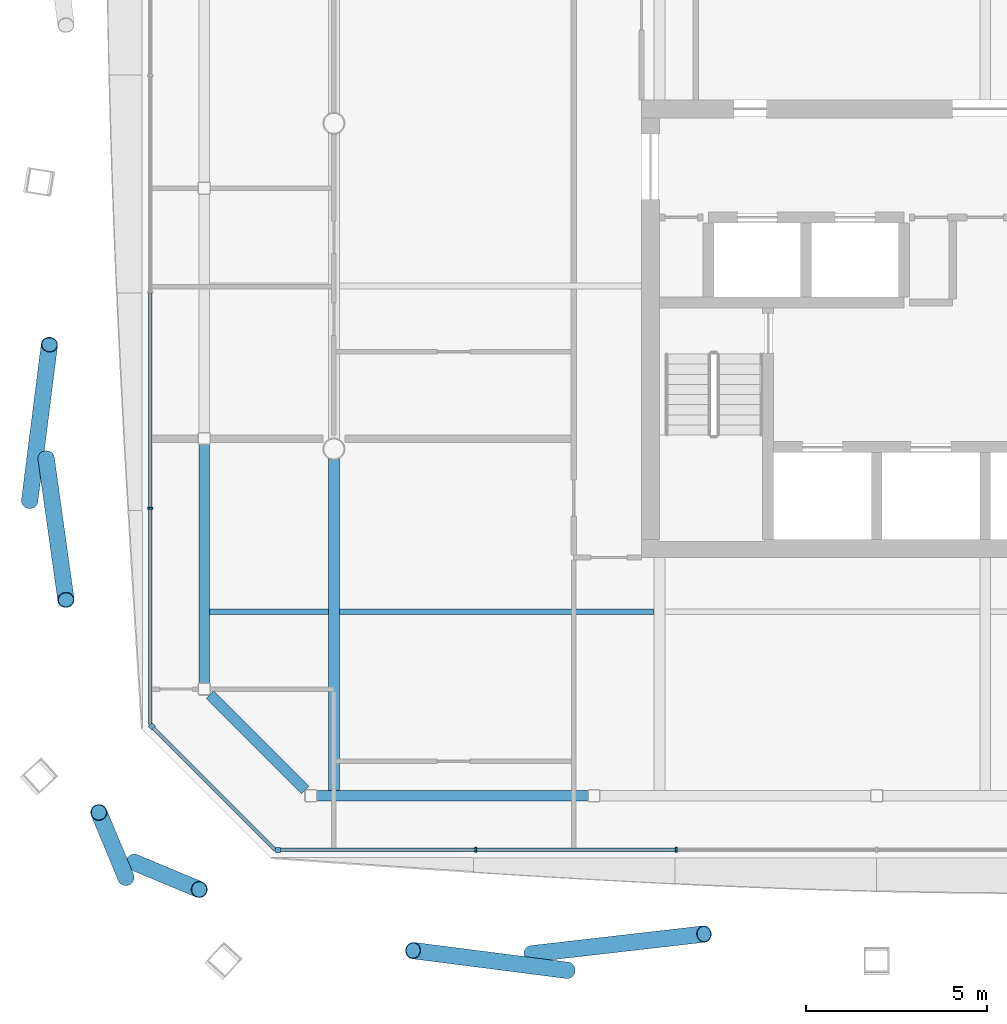
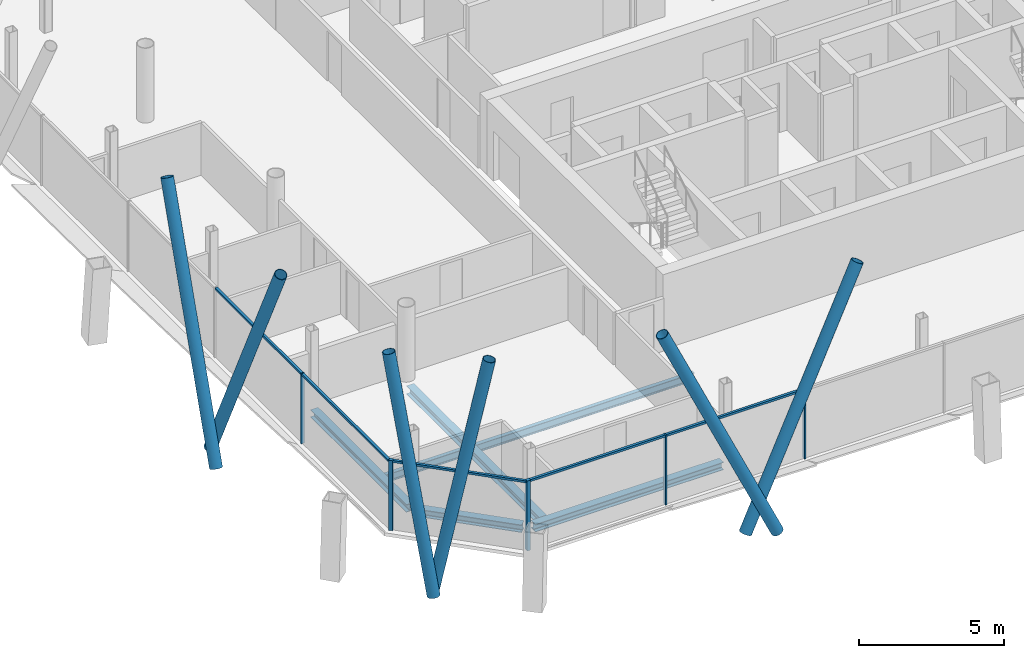
# One storey, part 3 of 19: 16 members, 6 beams, 3 elements without a shape of their own.
"""IFC4 building model written with IfcOpenShell, lengths in metres."""

from ifc_helpers import new_model, si_unit, direction, frame, origin, origin_2d, place, context, subcontext, project, spatial, rectangle, hollow_circle, i_section, extrude, material, material_profile, profile_set, type_object, element, aggregate, save


model = new_model("IFC4")

# Units and contexts
model_context = context("Model", 3, precision=1e-05, world=origin(), true_north=direction((0.0, 1.0)))
body_context = subcontext(model_context, "Body", "Model", "MODEL_VIEW")
ifc_project = project(units=[si_unit("LENGTHUNIT", "METRE"), si_unit("AREAUNIT", "SQUARE_METRE"), si_unit("VOLUMEUNIT", "CUBIC_METRE"), si_unit("PLANEANGLEUNIT", "RADIAN"), si_unit("MASSUNIT", "GRAM", prefix="KILO")], contexts=[model_context])

# Site, building, storey
site_placement = place(None, origin())
site = spatial("IfcSite", under=ifc_project, at=site_placement, CompositionType="ELEMENT")
building_placement = place(site_placement, origin())
building = spatial("IfcBuilding", under=site, at=building_placement, Name="Tskaro Facet Tower", CompositionType="ELEMENT")
storey_placement = place(building_placement, frame((0.0, 0.0, 191.10009765625)))
storey = spatial("IfcBuildingStorey", under=building, at=storey_placement, Name="L48", CompositionType="ELEMENT", Elevation=191.10009765625)

# Members
ifc_material_1 = material(Name="Steel S355J2H", Category="steel")
ifc_material_profile_1 = material_profile(ifc_material_1, hollow_circle(Radius=0.228515625, WallThickness=0.02001953125, at=origin_2d()), Name="CHS 457x20")
ifc_profile_set_1 = profile_set([ifc_material_profile_1], Name="Steel S355J2H")
member_type_1 = type_object("IfcMemberType", Name="CHS 457x20 brace", PredefinedType="BRACE", material=ifc_profile_set_1)
member_1_placement = place(storey_placement, frame((-12.54248046875, -22.951904296875, 0.0), z_axis=(0.450104616296, 0.051659655854, 0.891480293863), x_axis=(-0.114024005645, 0.993477994792, 0.0)))
element("IfcMember", 1, at=member_1_placement, inside=storey, type_object=member_type_1, Name="CHS 457x20 XB01A/4", PredefinedType="BRACE", context=body_context, shape_type="SweptSolid", body=[
    extrude(hollow_circle(Radius=0.228515625, WallThickness=0.02001953125, at=origin_2d()), origin(), (0.0, 0.0, 1.0), 10.600341796875),
])
member_2_placement = place(storey_placement, frame((-11.5419921875, -23.408935546875, 0.0), z_axis=(-0.41127610555, 0.052731925503, 0.909984235598), x_axis=(-0.127174328036, -0.991880381038, 0.0)))
element("IfcMember", 2, at=member_2_placement, inside=storey, type_object=member_type_1, Name="CHS 457x20 XB01B/4", PredefinedType="BRACE", context=body_context, shape_type="SweptSolid", body=[
    extrude(hollow_circle(Radius=0.228515625, WallThickness=0.02001953125, at=origin_2d()), origin(), (0.0, 0.0, 1.0), 10.384765625),
])
member_3_placement = place(storey_placement, frame((-25.951904296875, -9.259033203125, 0.0), z_axis=(0.053464449865, -0.381974056658, 0.92262526122), x_axis=(0.990345989055, 0.138617538437, 0.0)))
element("IfcMember", 3, at=member_3_placement, inside=storey, type_object=member_type_1, Name="CHS 457x20 XB11A/4", PredefinedType="BRACE", context=body_context, shape_type="SweptSolid", body=[
    extrude(hollow_circle(Radius=0.228515625, WallThickness=0.02001953125, at=origin_2d()), origin(), (0.0, 0.0, 1.0), 10.242431640625),
])
member_4_placement = place(storey_placement, frame((-26.408935546875, -10.43896484375, 0.0), z_axis=(0.052623002474, 0.415423764961, 0.908104572787), x_axis=(-0.992072247398, 0.125668834411, 0.0)))
element("IfcMember", 4, at=member_4_placement, inside=storey, type_object=member_type_1, Name="CHS 457x20 XB11B/4", PredefinedType="BRACE", context=body_context, shape_type="SweptSolid", body=[
    extrude(hollow_circle(Radius=0.228515625, WallThickness=0.02001953125, at=origin_2d()), origin(), (0.0, 0.0, 1.0), 10.40625),
])
for number, where, z_axis, x_axis, name in (
    (5, (-23.518310546875, -20.42333984375, 0.0), (0.186332028065, -0.07773112306, 0.97940708994), (0.385006906593, 0.922913691455, 0.0), "CHS 457x20 XB12A/4"),
    (6, (-23.74658203125, -20.841552734375, 0.0), (-0.077730756553, 0.186356452478, 0.979402471972), (-0.922932265608, -0.384962378812, 0.0), "CHS 457x20 XB12B/4"),
):
    element("IfcMember", number, at=place(storey_placement, frame(where, z_axis=z_axis, x_axis=x_axis)), inside=storey, type_object=member_type_1, Name=name, PredefinedType="BRACE", context=body_context, shape_type="SweptSolid", body=[
        extrude(hollow_circle(Radius=0.228515625, WallThickness=0.02001953125, at=origin_2d()), origin(), (0.0, 0.0, 1.0), 9.648681640625),
    ])

# Curtain wall, member
ifc_material_2 = material(Name="Bronze anodised aluminium 6063-T6", Category="aluminium")
curtain_wall_type = type_object("IfcCurtainWallType", Name="Bronze residence curtain wall (FW3)", PredefinedType="NOTDEFINED", material=ifc_material_2)
curtain_wall_1_placement = place(storey_placement, origin())
curtain_wall_1 = element("IfcCurtainWall", 7, at=curtain_wall_1_placement, inside=storey, type_object=curtain_wall_type, Name="FW3 south facet L48", PredefinedType="NOTDEFINED")
ifc_material_profile_2 = material_profile(ifc_material_2, rectangle(XDim=0.139892578125, YDim=0.139892578125, at=origin_2d()), Name="Corner post 140x140")
ifc_profile_set_2 = profile_set([ifc_material_profile_2], Name="Bronze anodised aluminium 6063-T6")
member_type_2 = type_object("IfcMemberType", Name="FW3 bronze corner post 140x140", PredefinedType="MULLION", material=ifc_profile_set_2)
member_5_placement = place(storey_placement, frame((-19.548095703125, -20.080078125, 0.0), z_axis=(0.0, 0.0, 1.0), x_axis=(1.0, 0.0, 0.0)))
member_5 = element("IfcMember", 8, at=member_5_placement, type_object=member_type_2, Name="FW3 south corner post", PredefinedType="MULLION", context=body_context, shape_type="SweptSolid", body=[
    extrude(rectangle(XDim=0.139892578125, YDim=0.139892578125, at=origin_2d()), origin(), (0.0, 0.0, 1.0), 2.949951171875),
])

curtain_wall_2_placement = place(storey_placement, origin())
curtain_wall_2 = element("IfcCurtainWall", 9, at=curtain_wall_2_placement, inside=storey, type_object=curtain_wall_type, Name="FW3 south-west facet L48", PredefinedType="NOTDEFINED")
member_6_placement = place(storey_placement, frame((-23.030517578125, -16.66748046875, 0.0), z_axis=(0.0, 0.0, 1.0), x_axis=(0.707106781187, -0.707106781187, 0.0)))
member_6 = element("IfcMember", 10, at=member_6_placement, type_object=member_type_2, Name="FW3 south-west corner post", PredefinedType="MULLION", context=body_context, shape_type="SweptSolid", body=[
    extrude(rectangle(XDim=0.139892578125, YDim=0.139892578125, at=origin_2d()), origin(), (0.0, 0.0, 1.0), 2.949951171875),
])

# Member
ifc_material_profile_3 = material_profile(ifc_material_2, rectangle(XDim=0.050048828125, YDim=0.139892578125, at=origin_2d()), Name="Mullion 50x140")
ifc_profile_set_3 = profile_set([ifc_material_profile_3], Name="Bronze anodised aluminium 6063-T6")
member_type_3 = type_object("IfcMemberType", Name="FW3 bronze mullion 50x140", PredefinedType="MULLION", material=ifc_profile_set_3)
member_7_placement = place(storey_placement, frame((-14.07861328125, -20.080078125, 0.0), z_axis=(0.0, 0.0, 1.0), x_axis=(1.0, 0.0, 0.0)))
member_7 = element("IfcMember", 11, at=member_7_placement, type_object=member_type_3, Name="FW3 south mullion 1", PredefinedType="MULLION", context=body_context, shape_type="SweptSolid", body=[
    extrude(rectangle(XDim=0.050048828125, YDim=0.139892578125, at=origin_2d()), origin(), (0.0, 0.0, 1.0), 2.949951171875),
])

member_8_placement = place(storey_placement, frame((-8.539306640625, -20.080078125, 0.0), z_axis=(0.0, 0.0, 1.0), x_axis=(1.0, 0.0, 0.0)))
member_8 = element("IfcMember", 12, at=member_8_placement, type_object=member_type_3, Name="FW3 south mullion 2", PredefinedType="MULLION", context=body_context, shape_type="SweptSolid", body=[
    extrude(rectangle(XDim=0.050048828125, YDim=0.139892578125, at=origin_2d()), origin(), (0.0, 0.0, 1.0), 2.949951171875),
])

# Curtain wall, member
curtain_wall_3_placement = place(storey_placement, origin())
curtain_wall_3 = element("IfcCurtainWall", 13, at=curtain_wall_3_placement, inside=storey, type_object=curtain_wall_type, Name="FW3 west facet L48", PredefinedType="NOTDEFINED")
member_9_placement = place(storey_placement, frame((-23.080078125, -10.640380859375, 0.0), z_axis=(0.0, 0.0, 1.0), x_axis=(0.0, -1.0, 0.0)))
member_9 = element("IfcMember", 14, at=member_9_placement, type_object=member_type_3, Name="FW3 west mullion 4", PredefinedType="MULLION", context=body_context, shape_type="SweptSolid", body=[
    extrude(rectangle(XDim=0.050048828125, YDim=0.139892578125, at=origin_2d()), origin(), (0.0, 0.0, 1.0), 2.949951171875),
])

# Member
ifc_material_profile_4 = material_profile(ifc_material_2, rectangle(XDim=0.10009765625, YDim=0.090087890625, at=origin_2d()), Name="Transom 100x90")
ifc_profile_set_4 = profile_set([ifc_material_profile_4], Name="Bronze anodised aluminium 6063-T6")
member_type_4 = type_object("IfcMemberType", Name="FW3 bronze transom 100x90", PredefinedType="USERDEFINED", material=ifc_profile_set_4)
member_10_placement = place(storey_placement, frame((-19.47802734375, -20.080078125, 2.90478515625), z_axis=(1.0, 0.0, 0.0), x_axis=(0.0, 1.0, 0.0)))
member_10 = element("IfcMember", 15, at=member_10_placement, type_object=member_type_4, Name="FW3 south transom 1.1", ObjectType="TRANSOM", PredefinedType="USERDEFINED", context=body_context, shape_type="SweptSolid", body=[
    extrude(rectangle(XDim=0.10009765625, YDim=0.090087890625, at=origin_2d()), origin(), (0.0, 0.0, 1.0), 5.374267578125),
])

member_11_placement = place(storey_placement, frame((-14.0537109375, -20.080078125, 2.90478515625), z_axis=(1.0, 0.0, 0.0), x_axis=(0.0, 1.0, 0.0)))
member_11 = element("IfcMember", 16, at=member_11_placement, type_object=member_type_4, Name="FW3 south transom 2.1", ObjectType="TRANSOM", PredefinedType="USERDEFINED", context=body_context, shape_type="SweptSolid", body=[
    extrude(rectangle(XDim=0.10009765625, YDim=0.090087890625, at=origin_2d()), origin(), (0.0, 0.0, 1.0), 5.4892578125),
])

aggregate(curtain_wall_1, [member_5, member_7, member_8, member_10, member_11])

member_12_placement = place(storey_placement, frame((-23.080078125, -4.687744140625, 2.90478515625), z_axis=(0.0, -1.0, 0.0), x_axis=(1.0, 0.0, 0.0)))
member_12 = element("IfcMember", 17, at=member_12_placement, type_object=member_type_4, Name="FW3 west transom 4.1", ObjectType="TRANSOM", PredefinedType="USERDEFINED", context=body_context, shape_type="SweptSolid", body=[
    extrude(rectangle(XDim=0.10009765625, YDim=0.090087890625, at=origin_2d()), origin(), (0.0, 0.0, 1.0), 5.927734375),
])

member_13_placement = place(storey_placement, frame((-23.080078125, -10.665283203125, 2.90478515625), z_axis=(0.0, -1.0, 0.0), x_axis=(1.0, 0.0, 0.0)))
member_13 = element("IfcMember", 18, at=member_13_placement, type_object=member_type_4, Name="FW3 west transom 5.1", ObjectType="TRANSOM", PredefinedType="USERDEFINED", context=body_context, shape_type="SweptSolid", body=[
    extrude(rectangle(XDim=0.10009765625, YDim=0.090087890625, at=origin_2d()), origin(), (0.0, 0.0, 1.0), 5.95263671875),
])

aggregate(curtain_wall_3, [member_9, member_12, member_13])

member_14_placement = place(storey_placement, frame((-22.98095703125, -16.717041015625, 2.90478515625), z_axis=(0.707106781187, -0.707106781187, 0.0), x_axis=(0.707106781187, 0.707106781187, 0.0)))
member_14 = element("IfcMember", 19, at=member_14_placement, type_object=member_type_4, Name="FW3 south-west transom 1.1", ObjectType="TRANSOM", PredefinedType="USERDEFINED", context=body_context, shape_type="SweptSolid", body=[
    extrude(rectangle(XDim=0.10009765625, YDim=0.090087890625, at=origin_2d()), origin(), (0.0, 0.0, 1.0), 4.756103515625),
])

aggregate(curtain_wall_2, [member_6, member_14])

# Beams
ifc_material_3 = material(Name="Steel S355J2", Category="steel")
ifc_material_profile_5 = material_profile(ifc_material_3, i_section(OverallWidth=0.300048828125, OverallDepth=0.320068359375, WebThickness=0.011474609375, FlangeThickness=0.0205078125, FilletRadius=0.027099609375, at=origin_2d()), Name="HE 320 B")
ifc_profile_set_5 = profile_set([ifc_material_profile_5], Name="Steel S355J2")
beam_type_1 = type_object("IfcBeamType", Name="HE 320 B ring beam", PredefinedType="BEAM", material=ifc_profile_set_5)
beam_1_placement = place(storey_placement, frame((-18.47802734375, -18.5830078125, -0.300048828125), z_axis=(1.0, 0.0, 0.0), x_axis=(0.0, 1.0, 0.0)))
element("IfcBeam", 20, at=beam_1_placement, inside=storey, type_object=beam_type_1, Name="HE 320 B EB1-4", PredefinedType="BEAM", context=body_context, shape_type="SweptSolid", body=[
    extrude(i_section(OverallWidth=0.300048828125, OverallDepth=0.320068359375, WebThickness=0.011474609375, FlangeThickness=0.0205078125, FilletRadius=0.027099609375, at=origin_2d()), origin(), (0.0, 0.0, 1.0), 7.507080078125),
])
beam_2_placement = place(storey_placement, frame((-21.5830078125, -8.867919921875, -0.300048828125), z_axis=(0.0, -1.0, 0.0), x_axis=(1.0, 0.0, 0.0)))
element("IfcBeam", 21, at=beam_2_placement, inside=storey, type_object=beam_type_1, Name="HE 320 B EB20-4", PredefinedType="BEAM", context=body_context, shape_type="SweptSolid", body=[
    extrude(i_section(OverallWidth=0.300048828125, OverallDepth=0.320068359375, WebThickness=0.011474609375, FlangeThickness=0.0205078125, FilletRadius=0.027099609375, at=origin_2d()), origin(), (0.0, 0.0, 1.0), 6.610107421875),
])
beam_3_placement = place(storey_placement, frame((-21.422119140625, -15.7939453125, -0.300048828125), z_axis=(0.707106781187, -0.707106781187, 0.0), x_axis=(0.707106781187, 0.707106781187, 0.0)))
element("IfcBeam", 22, at=beam_3_placement, inside=storey, type_object=beam_type_1, Name="HE 320 B EB21-4", PredefinedType="BEAM", context=body_context, shape_type="SweptSolid", body=[
    extrude(i_section(OverallWidth=0.300048828125, OverallDepth=0.320068359375, WebThickness=0.011474609375, FlangeThickness=0.0205078125, FilletRadius=0.027099609375, at=origin_2d()), origin(), (0.0, 0.0, 1.0), 3.716796875),
])
ifc_material_profile_6 = material_profile(ifc_material_3, i_section(OverallWidth=0.300048828125, OverallDepth=0.35009765625, WebThickness=0.010009765625, FlangeThickness=0.017578125, FilletRadius=0.027099609375, at=origin_2d()), Name="HE 360 A")
ifc_profile_set_6 = profile_set([ifc_material_profile_6], Name="Steel S355J2")
beam_type_2 = type_object("IfcBeamType", Name="HE 360 A girder", PredefinedType="BEAM", material=ifc_profile_set_6)
beam_4_placement = place(storey_placement, frame((-18.0, -18.43310546875, -0.315185546875), z_axis=(0.0, 1.0, 0.0), x_axis=(-1.0, 0.0, 0.0)))
element("IfcBeam", 23, at=beam_4_placement, inside=storey, type_object=beam_type_2, Name="HE 360 A GB2-1-4", PredefinedType="BEAM", context=body_context, shape_type="SweptSolid", body=[
    extrude(i_section(OverallWidth=0.300048828125, OverallDepth=0.35009765625, WebThickness=0.010009765625, FlangeThickness=0.017578125, FilletRadius=0.027099609375, at=origin_2d()), origin(), (0.0, 0.0, 1.0), 9.158203125),
])
ifc_material_profile_7 = material_profile(ifc_material_3, i_section(OverallWidth=0.159912109375, OverallDepth=0.330078125, WebThickness=0.007568359375, FlangeThickness=0.011474609375, FilletRadius=0.01806640625, at=origin_2d()), Name="IPE 330")
ifc_profile_set_7 = profile_set([ifc_material_profile_7], Name="Steel S355J2")
beam_type_3 = type_object("IfcBeamType", Name="IPE 330 secondary beam", PredefinedType="BEAM", material=ifc_profile_set_7)
beam_5_placement = place(storey_placement, frame((-21.43310546875, -13.5, -0.30517578125), z_axis=(1.0, 0.0, 0.0), x_axis=(0.0, 1.0, 0.0)))
element("IfcBeam", 24, at=beam_5_placement, inside=storey, type_object=beam_type_3, Name="IPE 330 SB2a-1-4", PredefinedType="BEAM", context=body_context, shape_type="SweptSolid", body=[
    extrude(i_section(OverallWidth=0.159912109375, OverallDepth=0.330078125, WebThickness=0.007568359375, FlangeThickness=0.011474609375, FilletRadius=0.01806640625, at=origin_2d()), origin(), (0.0, 0.0, 1.0), 3.283203125),
])
beam_6_placement = place(storey_placement, frame((-17.85009765625, -13.5, -0.30517578125), z_axis=(1.0, 0.0, 0.0), x_axis=(0.0, 1.0, 0.0)))
element("IfcBeam", 25, at=beam_6_placement, inside=storey, type_object=beam_type_3, Name="IPE 330 SB2a-2-4", PredefinedType="BEAM", context=body_context, shape_type="SweptSolid", body=[
    extrude(i_section(OverallWidth=0.159912109375, OverallDepth=0.330078125, WebThickness=0.007568359375, FlangeThickness=0.011474609375, FilletRadius=0.01806640625, at=origin_2d()), origin(), (0.0, 0.0, 1.0), 8.7001953125),
])

save(model, "model.ifc")
